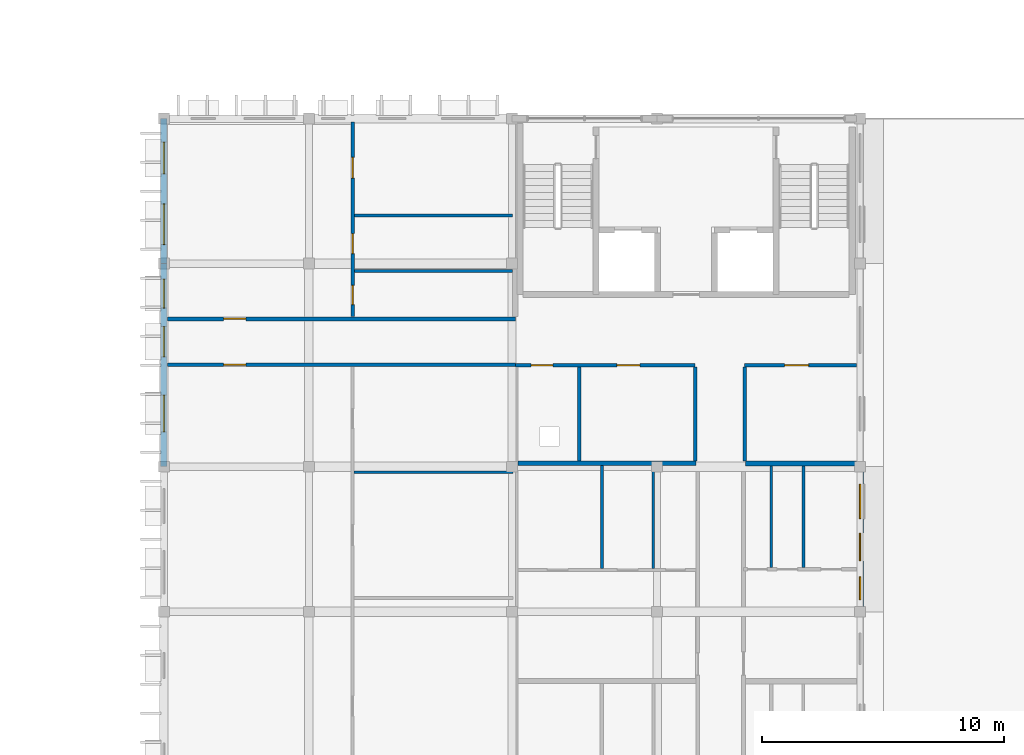
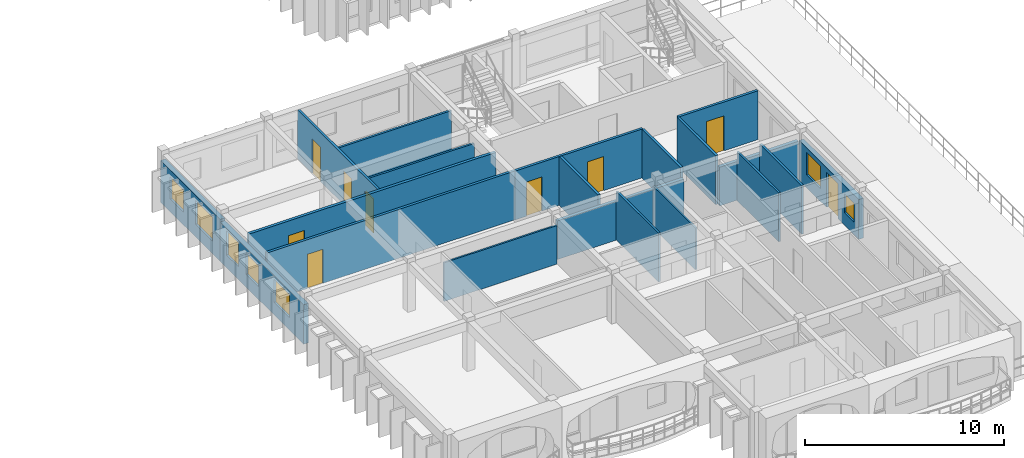
# One storey, part 31 of 66: 20 walls, 9 doors, 7 windows, 16 openings.
"""IFC4 building model written with IfcOpenShell, lengths in metres."""

from ifc_helpers import new_model, si_unit, direction, frame, frame_2d, origin, place, context, subcontext, project, spatial, rectangle, extrude, material, layer, layer_set, type_object, element, fill, save


model = new_model("IFC4")

# Units and contexts
model_context = context("Model", 3, precision=1e-05, world=origin(), true_north=direction((0.0, 1.0)))
body_context = subcontext(model_context, "Body", "Model", "MODEL_VIEW")
ifc_project = project(units=[si_unit("LENGTHUNIT", "METRE"), si_unit("AREAUNIT", "SQUARE_METRE"), si_unit("VOLUMEUNIT", "CUBIC_METRE"), si_unit("PLANEANGLEUNIT", "RADIAN"), si_unit("MASSUNIT", "GRAM", prefix="KILO"), si_unit("THERMODYNAMICTEMPERATUREUNIT", "KELVIN")], contexts=[model_context])

# Site, building, storey
site_placement = place(None, origin())
site = spatial("IfcSite", under=ifc_project, at=site_placement, CompositionType="ELEMENT")
building_placement = place(site_placement, origin())
building = spatial("IfcBuilding", under=site, at=building_placement, Name="Thalorik Housing Commons", CompositionType="ELEMENT")
storey_placement = place(building_placement, frame((0.0, 0.0, 21.300048828125)))
storey = spatial("IfcBuildingStorey", under=building, at=storey_placement, Name="L06", CompositionType="ELEMENT", Elevation=21.300048828125)

# Wall, opening, door
ifc_material_1 = material(Name="Masonry fire-rated corridor wall", Category="masonry")
ifc_layer_1 = layer(ifc_material_1, 0.14990234375, Name="Masonry fire-rated corridor wall", Category="masonry")
ifc_layer_set_1 = layer_set([ifc_layer_1], Name="Masonry fire-rated corridor wall")
wall_type_1 = type_object("IfcWallType", Name="ARC-WAL-CORR-150", PredefinedType="PARTITIONING", material=ifc_layer_set_1)
wall_1_placement = place(storey_placement, frame((138.139404296875, 61.820068359375, 0.0), z_axis=(0.0, 0.0, 1.0), x_axis=(1.0, 0.0, 0.0)))
wall_1 = element("IfcWall", 1, at=wall_1_placement, inside=storey, type_object=wall_type_1, Name="L06 Block D R Corridor Wall 1", PredefinedType="PARTITIONING", context=body_context, shape_type="SweptSolid", body=[
    extrude(rectangle(XDim=14.400634765625, YDim=0.14990234375, at=frame_2d((7.2001953125, 0.0))), origin(), (0.0, 0.0, 1.0), 3.0),
])
opening_1_placement = place(wall_1_placement, frame((2.329345703125, 0.0, 0.0)))
opening_1 = element("IfcOpeningElement", 2, at=opening_1_placement, cuts=wall_1, Name="Opening ID-2122", PredefinedType="OPENING", context=body_context, shape_type="SweptSolid", body=[
    extrude(rectangle(XDim=0.919921875, YDim=2.10009765625, at=frame_2d((0.4599609375, 1.050048828125))), frame((0.0, 0.0849609375, 0.0), z_axis=(0.0, -1.0, 0.0), x_axis=(1.0, 0.0, 0.0)), (0.0, 0.0, 1.0), 0.169921875),
])
ifc_material_2 = material(Name="Solid core hardwood timber", Category="wood")
door_type_1 = type_object("IfcDoorType", Name="ARC-DR-FD30-920", OperationType="NOTDEFINED", PredefinedType="DOOR", material=ifc_material_2)
door_1_placement = place(opening_1_placement, origin())
door_1 = element("IfcDoor", 3, at=door_1_placement, inside=storey, type_object=door_type_1, Name="L06 Flat DR-1A Entrance Door", OperationType="SINGLE_SWING_LEFT", OverallHeight=2.10009765625, OverallWidth=0.919921875, PredefinedType="DOOR", context=body_context, shape_type="SweptSolid", body=[
    extrude(rectangle(XDim=0.919921875, YDim=2.10009765625, at=frame_2d((0.4599609375, 1.050048828125))), frame((0.0, 0.02490234375, 0.0), z_axis=(0.0, -1.0, 0.0), x_axis=(1.0, 0.0, 0.0)), (0.0, 0.0, 1.0), 0.050048828125),
])
fill(opening_1, door_1)

ifc_layer_2 = layer(ifc_material_1, 0.1650390625, Name="Masonry fire-rated corridor wall", Category="masonry")
ifc_layer_set_2 = layer_set([ifc_layer_2], Name="Masonry fire-rated corridor wall")
wall_type_2 = type_object("IfcWallType", Name="ARC-WAL-CORR-165", PredefinedType="PARTITIONING", material=ifc_layer_set_2)
wall_2_placement = place(storey_placement, frame((138.139404296875, 63.719970703125, 0.0), z_axis=(0.0, 0.0, 1.0), x_axis=(1.0, 0.0, 0.0)))
wall_2 = element("IfcWall", 4, at=wall_2_placement, inside=storey, type_object=wall_type_2, Name="L06 Block D R Corridor Wall 2", PredefinedType="PARTITIONING", context=body_context, shape_type="SweptSolid", body=[
    extrude(rectangle(XDim=14.400634765625, YDim=0.1650390625, at=frame_2d((7.2001953125, 0.0))), origin(), (0.0, 0.0, 1.0), 3.0),
])
opening_2_placement = place(wall_2_placement, frame((2.332763671875, 0.0, 0.0)))
opening_2 = element("IfcOpeningElement", 5, at=opening_2_placement, cuts=wall_2, Name="Opening ID-2123", PredefinedType="OPENING", context=body_context, shape_type="SweptSolid", body=[
    extrude(rectangle(XDim=0.919921875, YDim=2.10009765625, at=frame_2d((0.4599609375, 1.050048828125))), frame((0.0, 0.092529296875, 0.0), z_axis=(0.0, -1.0, 0.0), x_axis=(1.0, 0.0, 0.0)), (0.0, 0.0, 1.0), 0.18505859375),
])
door_2_placement = place(opening_2_placement, origin())
door_2 = element("IfcDoor", 6, at=door_2_placement, inside=storey, type_object=door_type_1, Name="L06 Flat DR-1B Entrance Door", OperationType="SINGLE_SWING_RIGHT", OverallHeight=2.10009765625, OverallWidth=0.919921875, PredefinedType="DOOR", context=body_context, shape_type="SweptSolid", body=[
    extrude(rectangle(XDim=0.919921875, YDim=2.10009765625, at=frame_2d((0.4599609375, 1.050048828125))), frame((0.0, 0.02490234375, 0.0), z_axis=(0.0, -1.0, 0.0), x_axis=(1.0, 0.0, 0.0)), (0.0, 0.0, 1.0), 0.050048828125),
])
fill(opening_2, door_2)

# Wall, openings, windows
ifc_material_3 = material(Name="White precast concrete C40/50", Category="concrete")
ifc_layer_3 = layer(ifc_material_3, 0.27490234375, Name="White precast concrete C40/50", Category="concrete")
ifc_layer_set_3 = layer_set([ifc_layer_3], Name="White precast concrete C40/50")
wall_type_3 = type_object("IfcWallType", Name="ARC-WAL-EXT-275", PredefinedType="STANDARD", material=ifc_layer_set_3)
wall_3_placement = place(storey_placement, frame((138.0, 72.0, 0.0), z_axis=(0.0, 0.0, 1.0), x_axis=(0.0, -1.0, 0.0)))
wall_3 = element("IfcWall", 7, at=wall_3_placement, inside=storey, type_object=wall_type_3, Name="L06 Exterior Wall WAL-EXT-L06-D-1227", PredefinedType="STANDARD", context=body_context, shape_type="SweptSolid", body=[
    extrude(rectangle(XDim=6.0, YDim=0.27490234375, at=frame_2d((3.0, 0.0))), origin(), (0.0, 0.0, 1.0), 2.574951171875),
])
opening_3_placement = place(wall_3_placement, frame((0.969970703125, 0.0, 0.780029296875)))
opening_3 = element("IfcOpeningElement", 8, at=opening_3_placement, cuts=wall_3, Name="Opening W-48", PredefinedType="OPENING", context=body_context, shape_type="SweptSolid", body=[
    extrude(rectangle(XDim=1.320068359375, YDim=1.35009765625, at=frame_2d((0.66015625, 0.675048828125))), frame((0.0, 0.1474609375, 0.0), z_axis=(0.0, -1.0, 0.0), x_axis=(1.0, 0.0, 0.0)), (0.0, 0.0, 1.0), 0.294921875),
])
opening_4_placement = place(wall_3_placement, frame((3.530029296875, 0.0, 0.780029296875)))
opening_4 = element("IfcOpeningElement", 9, at=opening_4_placement, cuts=wall_3, Name="Opening W-55", PredefinedType="OPENING", context=body_context, shape_type="SweptSolid", body=[
    extrude(rectangle(XDim=1.679931640625, YDim=1.4599609375, at=frame_2d((0.83984375, 0.72998046875))), frame((0.0, 0.1474609375, 0.0), z_axis=(0.0, -1.0, 0.0), x_axis=(1.0, 0.0, 0.0)), (0.0, 0.0, 1.0), 0.294921875),
])
ifc_material_4 = material(Name="Anodised aluminium and solar-control low-E glass", Category="aluminium")
window_type_1 = type_object("IfcWindowType", Name="ARC-WIN-48", PartitioningType="SINGLE_PANEL", PredefinedType="WINDOW", material=ifc_material_4)
window_1_placement = place(opening_3_placement, origin())
window_1 = element("IfcWindow", 10, at=window_1_placement, inside=storey, type_object=window_type_1, Name="L06 Facade Window 2238", OverallHeight=1.35009765625, OverallWidth=1.320068359375, PartitioningType="SINGLE_PANEL", PredefinedType="WINDOW", context=body_context, shape_type="SweptSolid", body=[
    extrude(rectangle(XDim=1.320068359375, YDim=1.35009765625, at=frame_2d((0.66015625, 0.675048828125))), frame((0.0, 0.030029296875, 0.0), z_axis=(0.0, -1.0, 0.0), x_axis=(1.0, 0.0, 0.0)), (0.0, 0.0, 1.0), 0.06005859375),
])
fill(opening_3, window_1)
window_type_2 = type_object("IfcWindowType", Name="ARC-WIN-55", PartitioningType="DOUBLE_PANEL_VERTICAL", PredefinedType="WINDOW", material=ifc_material_4)
window_2_placement = place(opening_4_placement, origin())
window_2 = element("IfcWindow", 11, at=window_2_placement, inside=storey, type_object=window_type_2, Name="L06 Facade Window 2239", OverallHeight=1.4599609375, OverallWidth=1.679931640625, PartitioningType="DOUBLE_PANEL_VERTICAL", PredefinedType="WINDOW", context=body_context, shape_type="SweptSolid", body=[
    extrude(rectangle(XDim=1.679931640625, YDim=1.4599609375, at=frame_2d((0.83984375, 0.72998046875))), frame((0.0, 0.030029296875, 0.0), z_axis=(0.0, -1.0, 0.0), x_axis=(1.0, 0.0, 0.0)), (0.0, 0.0, 1.0), 0.06005859375),
])
fill(opening_4, window_2)

wall_4_placement = place(storey_placement, frame((138.0, 66.0, 0.0), z_axis=(0.0, 0.0, 1.0), x_axis=(0.0, -1.0, 0.0)))
wall_4 = element("IfcWall", 12, at=wall_4_placement, inside=storey, type_object=wall_type_3, Name="L06 Exterior Wall WAL-EXT-L06-D-1228", PredefinedType="STANDARD", context=body_context, shape_type="SweptSolid", body=[
    extrude(rectangle(XDim=8.39990234375, YDim=0.27490234375, at=frame_2d((4.199951171875, 0.0))), origin(), (0.0, 0.0, 1.0), 2.425048828125),
])
opening_5_placement = place(wall_4_placement, frame((0.635009765625, 0.0, 0.780029296875)))
opening_5 = element("IfcOpeningElement", 13, at=opening_5_placement, cuts=wall_4, Name="Opening W-05", PredefinedType="OPENING", context=body_context, shape_type="SweptSolid", body=[
    extrude(rectangle(XDim=1.199951171875, YDim=1.5, at=frame_2d((0.60009765625, 0.75))), frame((0.0, 0.1474609375, 0.0), z_axis=(0.0, -1.0, 0.0), x_axis=(1.0, 0.0, 0.0)), (0.0, 0.0, 1.0), 0.294921875),
])
opening_6_placement = place(wall_4_placement, frame((2.60498046875, 0.0, 0.780029296875)))
opening_6 = element("IfcOpeningElement", 14, at=opening_6_placement, cuts=wall_4, Name="Opening W-46", PredefinedType="OPENING", context=body_context, shape_type="SweptSolid", body=[
    extrude(rectangle(XDim=1.25, YDim=1.300048828125, at=frame_2d((0.625, 0.64990234375))), frame((0.0, 0.1474609375, 0.0), z_axis=(0.0, -1.0, 0.0), x_axis=(1.0, 0.0, 0.0)), (0.0, 0.0, 1.0), 0.294921875),
])
opening_7_placement = place(wall_4_placement, frame((5.43505859375, 0.0, 0.780029296875)))
opening_7 = element("IfcOpeningElement", 15, at=opening_7_placement, cuts=wall_4, Name="Opening W-52", PredefinedType="OPENING", context=body_context, shape_type="SweptSolid", body=[
    extrude(rectangle(XDim=1.52001953125, YDim=1.419921875, at=frame_2d((0.760009765625, 0.7099609375))), frame((0.0, 0.1474609375, 0.0), z_axis=(0.0, -1.0, 0.0), x_axis=(1.0, 0.0, 0.0)), (0.0, 0.0, 1.0), 0.294921875),
])
window_type_3 = type_object("IfcWindowType", Name="ARC-WIN-05", PartitioningType="SINGLE_PANEL", PredefinedType="WINDOW", material=ifc_material_4)
window_3_placement = place(opening_5_placement, origin())
window_3 = element("IfcWindow", 16, at=window_3_placement, inside=storey, type_object=window_type_3, Name="L06 Facade Window 2240", OverallHeight=1.5, OverallWidth=1.199951171875, PartitioningType="SINGLE_PANEL", PredefinedType="WINDOW", context=body_context, shape_type="SweptSolid", body=[
    extrude(rectangle(XDim=1.199951171875, YDim=1.5, at=frame_2d((0.60009765625, 0.75))), frame((0.0, 0.030029296875, 0.0), z_axis=(0.0, -1.0, 0.0), x_axis=(1.0, 0.0, 0.0)), (0.0, 0.0, 1.0), 0.06005859375),
])
fill(opening_5, window_3)
window_type_4 = type_object("IfcWindowType", Name="ARC-WIN-46", PartitioningType="SINGLE_PANEL", PredefinedType="WINDOW", material=ifc_material_4)
window_4_placement = place(opening_6_placement, origin())
window_4 = element("IfcWindow", 17, at=window_4_placement, inside=storey, type_object=window_type_4, Name="L06 Facade Window 2241", OverallHeight=1.300048828125, OverallWidth=1.25, PartitioningType="SINGLE_PANEL", PredefinedType="WINDOW", context=body_context, shape_type="SweptSolid", body=[
    extrude(rectangle(XDim=1.25, YDim=1.300048828125, at=frame_2d((0.625, 0.64990234375))), frame((0.0, 0.030029296875, 0.0), z_axis=(0.0, -1.0, 0.0), x_axis=(1.0, 0.0, 0.0)), (0.0, 0.0, 1.0), 0.06005859375),
])
fill(opening_6, window_4)
window_type_5 = type_object("IfcWindowType", Name="ARC-WIN-52", PartitioningType="SINGLE_PANEL", PredefinedType="WINDOW", material=ifc_material_4)
window_5_placement = place(opening_7_placement, origin())
window_5 = element("IfcWindow", 18, at=window_5_placement, inside=storey, type_object=window_type_5, Name="L06 Facade Window 2242", OverallHeight=1.419921875, OverallWidth=1.52001953125, PartitioningType="SINGLE_PANEL", PredefinedType="WINDOW", context=body_context, shape_type="SweptSolid", body=[
    extrude(rectangle(XDim=1.52001953125, YDim=1.419921875, at=frame_2d((0.760009765625, 0.7099609375))), frame((0.0, 0.030029296875, 0.0), z_axis=(0.0, -1.0, 0.0), x_axis=(1.0, 0.0, 0.0)), (0.0, 0.0, 1.0), 0.06005859375),
])
fill(opening_7, window_5)

# Wall, openings, door, windows
wall_5_placement = place(storey_placement, frame((166.800048828125, 51.60009765625, 0.0), z_axis=(0.0, 0.0, 1.0), x_axis=(0.0, 1.0, 0.0)))
wall_5 = element("IfcWall", 19, at=wall_5_placement, inside=storey, type_object=wall_type_3, Name="L06 Exterior Wall WAL-EXT-L06-D-1238", PredefinedType="STANDARD", context=body_context, shape_type="SweptSolid", body=[
    extrude(rectangle(XDim=6.0, YDim=0.27490234375, at=frame_2d((3.0, 0.0))), origin(), (0.0, 0.0, 1.0), 2.445068359375),
])
opening_8_placement = place(wall_5_placement, frame((2.104736328125, 0.0, 0.0)))
opening_8 = element("IfcOpeningElement", 20, at=opening_8_placement, cuts=wall_5, Name="Opening ED-0422", PredefinedType="OPENING", context=body_context, shape_type="SweptSolid", body=[
    extrude(rectangle(XDim=1.14990234375, YDim=2.14990234375, at=frame_2d((0.574951171875, 1.074951171875))), frame((0.0, 0.1474609375, 0.0), z_axis=(0.0, -1.0, 0.0), x_axis=(1.0, 0.0, 0.0)), (0.0, 0.0, 1.0), 0.294921875),
])
opening_9_placement = place(wall_5_placement, frame((3.857421875, 0.0, 0.780029296875)))
opening_9 = element("IfcOpeningElement", 21, at=opening_9_placement, cuts=wall_5, Name="Opening W-50", PredefinedType="OPENING", context=body_context, shape_type="SweptSolid", body=[
    extrude(rectangle(XDim=1.419921875, YDim=1.3798828125, at=frame_2d((0.7099609375, 0.68994140625))), frame((0.0, 0.1474609375, 0.0), z_axis=(0.0, -1.0, 0.0), x_axis=(1.0, 0.0, 0.0)), (0.0, 0.0, 1.0), 0.294921875),
])
opening_10_placement = place(wall_5_placement, frame((0.497314453125, 0.0, 0.780029296875)))
opening_10 = element("IfcOpeningElement", 22, at=opening_10_placement, cuts=wall_5, Name="Opening W-43", PredefinedType="OPENING", context=body_context, shape_type="SweptSolid", body=[
    extrude(rectangle(XDim=0.949951171875, YDim=1.14990234375, at=frame_2d((0.47509765625, 0.574951171875))), frame((0.0, 0.1474609375, 0.0), z_axis=(0.0, -1.0, 0.0), x_axis=(1.0, 0.0, 0.0)), (0.0, 0.0, 1.0), 0.294921875),
])
ifc_material_5 = material(Name="Anodised aluminium and laminated safety glass", Category="aluminium")
door_type_2 = type_object("IfcDoorType", Name="ARC-DR-TERR-1150", OperationType="NOTDEFINED", PredefinedType="DOOR", material=ifc_material_5)
door_3_placement = place(opening_8_placement, frame((1.14990234375, 0.0, 0.0), z_axis=(0.0, 0.0, 1.0), x_axis=(-1.0, 0.0, 0.0)))
door_3 = element("IfcDoor", 23, at=door_3_placement, inside=storey, type_object=door_type_2, Name="L06 Block D L06 East Roof Terrace Access Door", OperationType="SINGLE_SWING_LEFT", OverallHeight=2.14990234375, OverallWidth=1.14990234375, PredefinedType="DOOR", context=body_context, shape_type="SweptSolid", body=[
    extrude(rectangle(XDim=1.14990234375, YDim=2.14990234375, at=frame_2d((0.574951171875, 1.074951171875))), frame((0.0, 0.02490234375, 0.0), z_axis=(0.0, -1.0, 0.0), x_axis=(1.0, 0.0, 0.0)), (0.0, 0.0, 1.0), 0.050048828125),
])
fill(opening_8, door_3)
window_type_6 = type_object("IfcWindowType", Name="ARC-WIN-43", PartitioningType="SINGLE_PANEL", PredefinedType="WINDOW", material=ifc_material_4)
window_6_placement = place(opening_10_placement, origin())
window_6 = element("IfcWindow", 24, at=window_6_placement, inside=storey, type_object=window_type_6, Name="L06 Facade Window 2261", OverallHeight=1.14990234375, OverallWidth=0.949951171875, PartitioningType="SINGLE_PANEL", PredefinedType="WINDOW", context=body_context, shape_type="SweptSolid", body=[
    extrude(rectangle(XDim=0.949951171875, YDim=1.14990234375, at=frame_2d((0.47509765625, 0.574951171875))), frame((0.0, 0.030029296875, 0.0), z_axis=(0.0, -1.0, 0.0), x_axis=(1.0, 0.0, 0.0)), (0.0, 0.0, 1.0), 0.06005859375),
])
fill(opening_10, window_6)
window_type_7 = type_object("IfcWindowType", Name="ARC-WIN-50", PartitioningType="SINGLE_PANEL", PredefinedType="WINDOW", material=ifc_material_4)
window_7_placement = place(opening_9_placement, origin())
window_7 = element("IfcWindow", 25, at=window_7_placement, inside=storey, type_object=window_type_7, Name="L06 Facade Window 2260", OverallHeight=1.3798828125, OverallWidth=1.419921875, PartitioningType="SINGLE_PANEL", PredefinedType="WINDOW", context=body_context, shape_type="SweptSolid", body=[
    extrude(rectangle(XDim=1.419921875, YDim=1.3798828125, at=frame_2d((0.7099609375, 0.68994140625))), frame((0.0, 0.030029296875, 0.0), z_axis=(0.0, -1.0, 0.0), x_axis=(1.0, 0.0, 0.0)), (0.0, 0.0, 1.0), 0.06005859375),
])
fill(opening_9, window_7)

# Walls
ifc_material_6 = material(Name="Gypsum light stud partition", Category="masonry")
ifc_layer_4 = layer(ifc_material_6, 0.10009765625, Name="Gypsum light stud partition", Category="masonry")
ifc_layer_set_4 = layer_set([ifc_layer_4], Name="Gypsum light stud partition")
wall_type_4 = type_object("IfcWallType", Name="ARC-WAL-PART-100", PredefinedType="PARTITIONING", material=ifc_layer_set_4)
wall_6_placement = place(storey_placement, frame((158.251220703125, 53.3994140625, 0.0), z_axis=(0.0, 0.0, 1.0), x_axis=(0.0, 1.0, 0.0)))
element("IfcWall", 26, at=wall_6_placement, inside=storey, type_object=wall_type_4, Name="L06 Unit 2 Wet Wall", PredefinedType="PARTITIONING", context=body_context, shape_type="SweptSolid", body=[
    extrude(rectangle(XDim=4.24609375, YDim=0.10009765625, at=frame_2d((2.123046875, 0.0))), origin(), (0.0, 0.0, 1.0), 2.574951171875),
])
wall_7_placement = place(storey_placement, frame((145.864501953125, 57.365478515625, 0.0), z_axis=(0.0, 0.0, 1.0), x_axis=(1.0, 0.0, 0.0)))
element("IfcWall", 27, at=wall_7_placement, inside=storey, type_object=wall_type_4, Name="L06 Unit 1 Wet Wall", PredefinedType="PARTITIONING", context=body_context, shape_type="SweptSolid", body=[
    extrude(rectangle(XDim=6.573486328125, YDim=0.10009765625, at=frame_2d((3.28662109375, 0.0))), origin(), (0.0, 0.0, 1.0), 2.375),
])
ifc_material_7 = material(Name="Gypsum moisture-resistant partition", Category="masonry")
ifc_layer_5 = layer(ifc_material_7, 0.114990234375, Name="Gypsum moisture-resistant partition", Category="masonry")
ifc_layer_set_5 = layer_set([ifc_layer_5], Name="Gypsum moisture-resistant partition")
wall_type_5 = type_object("IfcWallType", Name="ARC-WAL-PART-115", PredefinedType="PARTITIONING", material=ifc_layer_set_5)
wall_8_placement = place(storey_placement, frame((156.11767578125, 53.3994140625, 0.0), z_axis=(0.0, 0.0, 1.0), x_axis=(0.0, 1.0, 0.0)))
element("IfcWall", 28, at=wall_8_placement, inside=storey, type_object=wall_type_5, Name="L06 Unit 2 Bedroom Partition", PredefinedType="PARTITIONING", context=body_context, shape_type="SweptSolid", body=[
    extrude(rectangle(XDim=4.24609375, YDim=0.114990234375, at=frame_2d((2.123046875, 0.0))), origin(), (0.0, 0.0, 1.0), 3.0),
])
wall_9_placement = place(storey_placement, frame((163.122314453125, 53.4267578125, 0.0), z_axis=(0.0, 0.0, 1.0), x_axis=(0.0, 1.0, 0.0)))
element("IfcWall", 29, at=wall_9_placement, inside=storey, type_object=wall_type_5, Name="L06 Unit 2B Wet Wall", PredefinedType="PARTITIONING", context=body_context, shape_type="SweptSolid", body=[
    extrude(rectangle(XDim=4.211181640625, YDim=0.114990234375, at=frame_2d((2.10546875, 0.0))), origin(), (0.0, 0.0, 1.0), 3.0),
])
wall_10_placement = place(storey_placement, frame((145.88232421875, 65.69287109375, 0.0), z_axis=(0.0, 0.0, 1.0), x_axis=(1.0, 0.0, 0.0)))
element("IfcWall", 30, at=wall_10_placement, inside=storey, type_object=wall_type_5, Name="L06 Unit 1B Wet Wall", PredefinedType="PARTITIONING", context=body_context, shape_type="SweptSolid", body=[
    extrude(rectangle(XDim=6.545654296875, YDim=0.114990234375, at=frame_2d((3.27294921875, 0.0))), origin(), (0.0, 0.0, 1.0), 2.375),
])
ifc_material_8 = material(Name="Gypsum acoustic stud partition", Category="masonry")
ifc_layer_6 = layer(ifc_material_8, 0.125, Name="Gypsum acoustic stud partition", Category="masonry")
ifc_layer_set_6 = layer_set([ifc_layer_6], Name="Gypsum acoustic stud partition")
wall_type_6 = type_object("IfcWallType", Name="ARC-WAL-PART-125", PredefinedType="PARTITIONING", material=ifc_layer_set_6)
wall_11_placement = place(storey_placement, frame((164.455078125, 53.4267578125, 0.0), z_axis=(0.0, 0.0, 1.0), x_axis=(0.0, 1.0, 0.0)))
element("IfcWall", 31, at=wall_11_placement, inside=storey, type_object=wall_type_6, Name="L06 Unit 2B Bedroom Partition", PredefinedType="PARTITIONING", context=body_context, shape_type="SweptSolid", body=[
    extrude(rectangle(XDim=4.211181640625, YDim=0.125, at=frame_2d((2.10546875, 0.0))), origin(), (0.0, 0.0, 1.0), 3.0),
])
wall_12_placement = place(storey_placement, frame((145.88232421875, 67.994384765625, 0.0), z_axis=(0.0, 0.0, 1.0), x_axis=(1.0, 0.0, 0.0)))
element("IfcWall", 32, at=wall_12_placement, inside=storey, type_object=wall_type_6, Name="L06 Unit 1B Bedroom Partition", PredefinedType="PARTITIONING", context=body_context, shape_type="SweptSolid", body=[
    extrude(rectangle(XDim=6.545654296875, YDim=0.125, at=frame_2d((3.27294921875, 0.0))), origin(), (0.0, 0.0, 1.0), 3.0),
])

# Wall, openings, doors
ifc_material_9 = material(Name="Ceramic masonry partition wall", Category="masonry")
ifc_layer_7 = layer(ifc_material_9, 0.139892578125, Name="Ceramic masonry partition wall", Category="masonry")
ifc_layer_set_7 = layer_set([ifc_layer_7], Name="Ceramic masonry partition wall")
wall_type_7 = type_object("IfcWallType", Name="ARC-WAL-PART-140", PredefinedType="PARTITIONING", material=ifc_layer_set_7)
wall_13_placement = place(storey_placement, frame((145.810302734375, 63.804443359375, 0.0), z_axis=(0.0, 0.0, 1.0), x_axis=(0.0, 1.0, 0.0)))
wall_13 = element("IfcWall", 33, at=wall_13_placement, inside=storey, type_object=wall_type_7, Name="L06 Unit 1B Spine Partition", PredefinedType="PARTITIONING", context=body_context, shape_type="SweptSolid", body=[
    extrude(rectangle(XDim=8.05615234375, YDim=0.139892578125, at=frame_2d((4.028076171875, 0.0))), origin(), (0.0, 0.0, 1.0), 3.0),
])
opening_11_placement = place(wall_13_placement, frame((0.501953125, 0.0, 0.0)))
opening_11 = element("IfcOpeningElement", 34, at=opening_11_placement, cuts=wall_13, Name="Opening ID-2119", PredefinedType="OPENING", context=body_context, shape_type="SweptSolid", body=[
    extrude(rectangle(XDim=0.800048828125, YDim=2.10009765625, at=frame_2d((0.39990234375, 1.050048828125))), frame((0.0, 0.080078125, 0.0), z_axis=(0.0, -1.0, 0.0), x_axis=(1.0, 0.0, 0.0)), (0.0, 0.0, 1.0), 0.159912109375),
])
opening_12_placement = place(wall_13_placement, frame((2.614013671875, 0.0, 0.0)))
opening_12 = element("IfcOpeningElement", 35, at=opening_12_placement, cuts=wall_13, Name="Opening ID-2120", PredefinedType="OPENING", context=body_context, shape_type="SweptSolid", body=[
    extrude(rectangle(XDim=0.820068359375, YDim=2.080078125, at=frame_2d((0.41015625, 1.0400390625))), frame((0.0, 0.080078125, 0.0), z_axis=(0.0, -1.0, 0.0), x_axis=(1.0, 0.0, 0.0)), (0.0, 0.0, 1.0), 0.159912109375),
])
opening_13_placement = place(wall_13_placement, frame((5.73779296875, 0.0, 0.0)))
opening_13 = element("IfcOpeningElement", 36, at=opening_13_placement, cuts=wall_13, Name="Opening ID-2121", PredefinedType="OPENING", context=body_context, shape_type="SweptSolid", body=[
    extrude(rectangle(XDim=0.85009765625, YDim=2.10009765625, at=frame_2d((0.425048828125, 1.050048828125))), frame((0.0, 0.080078125, 0.0), z_axis=(0.0, -1.0, 0.0), x_axis=(1.0, 0.0, 0.0)), (0.0, 0.0, 1.0), 0.159912109375),
])
ifc_material_10 = material(Name="Moisture-resistant timber", Category="wood")
door_type_3 = type_object("IfcDoorType", Name="ARC-DR-INT-800", OperationType="NOTDEFINED", PredefinedType="DOOR", material=ifc_material_10)
door_4_placement = place(opening_11_placement, origin())
door_4 = element("IfcDoor", 37, at=door_4_placement, inside=storey, type_object=door_type_3, Name="L06 Flat Bathroom Door", OperationType="SINGLE_SWING_RIGHT", OverallHeight=2.10009765625, OverallWidth=0.800048828125, PredefinedType="DOOR", context=body_context, shape_type="SweptSolid", body=[
    extrude(rectangle(XDim=0.800048828125, YDim=2.10009765625, at=frame_2d((0.39990234375, 1.050048828125))), frame((0.0, 0.02490234375, 0.0), z_axis=(0.0, -1.0, 0.0), x_axis=(1.0, 0.0, 0.0)), (0.0, 0.0, 1.0), 0.050048828125),
])
fill(opening_11, door_4)
ifc_material_11 = material(Name="Engineered oak timber", Category="wood")
door_type_4 = type_object("IfcDoorType", Name="ARC-DR-INT-820", OperationType="NOTDEFINED", PredefinedType="DOOR", material=ifc_material_11)
door_5_placement = place(opening_12_placement, origin())
door_5 = element("IfcDoor", 38, at=door_5_placement, inside=storey, type_object=door_type_4, Name="L06 Eat-In Kitchen Door", OperationType="SINGLE_SWING_LEFT", OverallHeight=2.080078125, OverallWidth=0.820068359375, PredefinedType="DOOR", context=body_context, shape_type="SweptSolid", body=[
    extrude(rectangle(XDim=0.820068359375, YDim=2.080078125, at=frame_2d((0.41015625, 1.0400390625))), frame((0.0, 0.02490234375, 0.0), z_axis=(0.0, -1.0, 0.0), x_axis=(1.0, 0.0, 0.0)), (0.0, 0.0, 1.0), 0.050048828125),
])
fill(opening_12, door_5)
door_type_5 = type_object("IfcDoorType", Name="ARC-DR-INT-850", OperationType="NOTDEFINED", PredefinedType="DOOR", material=ifc_material_11)
door_6_placement = place(opening_13_placement, origin())
door_6 = element("IfcDoor", 39, at=door_6_placement, inside=storey, type_object=door_type_5, Name="L06 Master Bedroom Door", OperationType="SINGLE_SWING_RIGHT", OverallHeight=2.10009765625, OverallWidth=0.85009765625, PredefinedType="DOOR", context=body_context, shape_type="SweptSolid", body=[
    extrude(rectangle(XDim=0.85009765625, YDim=2.10009765625, at=frame_2d((0.425048828125, 1.050048828125))), frame((0.0, 0.02490234375, 0.0), z_axis=(0.0, -1.0, 0.0), x_axis=(1.0, 0.0, 0.0)), (0.0, 0.0, 1.0), 0.050048828125),
])
fill(opening_13, door_6)

# Walls
ifc_layer_8 = layer(ifc_material_9, 0.14794921875, Name="Ceramic masonry partition wall", Category="masonry")
ifc_layer_set_8 = layer_set([ifc_layer_8], Name="Ceramic masonry partition wall")
wall_type_8 = type_object("IfcWallType", Name="ARC-WAL-PART-150", PredefinedType="PARTITIONING", material=ifc_layer_set_8)
for number, where, z_axis, x_axis, name in (
    (40, (155.175048828125, 61.72412109375, 0.0), (0.0, 0.0, 1.0), (0.0, -1.0, 0.0), "Riser Wall"),
    (41, (159.97509765625, 61.72412109375, 0.0), (0.0, 0.0, 1.0), (0.0, -1.0, 0.0), "Core Stem West Cheek Wall"),
):
    element("IfcWall", number, at=place(storey_placement, frame(where, z_axis=z_axis, x_axis=x_axis)), inside=storey, type_object=wall_type_8, Name=name, PredefinedType="PARTITIONING", context=body_context, shape_type="SweptSolid", body=[
        extrude(rectangle(XDim=3.8896484375, YDim=0.14794921875, at=frame_2d((1.94482421875, 0.0))), origin(), (0.0, 0.0, 1.0), 3.0),
    ])
wall_14_placement = place(storey_placement, frame((162.02490234375, 61.72412109375, 0.0), z_axis=(0.0, 0.0, 1.0), x_axis=(0.0, -1.0, 0.0)))
element("IfcWall", 42, at=wall_14_placement, inside=storey, type_object=wall_type_8, Name="Core Stem East Cheek Wall", PredefinedType="PARTITIONING", context=body_context, shape_type="SweptSolid", body=[
    extrude(rectangle(XDim=3.882080078125, YDim=0.14794921875, at=frame_2d((1.94091796875, 0.0))), origin(), (0.0, 0.0, 1.0), 3.0),
])

# Wall, openings, doors
wall_15_placement = place(storey_placement, frame((152.5400390625, 61.800048828125, 0.0), z_axis=(0.0, 0.0, 1.0), x_axis=(1.0, 0.0, 0.0)))
wall_15 = element("IfcWall", 43, at=wall_15_placement, inside=storey, type_object=wall_type_8, Name="L06 Core D West Corridor Partition", PredefinedType="PARTITIONING", context=body_context, shape_type="SweptSolid", body=[
    extrude(rectangle(XDim=7.43505859375, YDim=0.14794921875, at=frame_2d((3.717529296875, 0.0))), origin(), (0.0, 0.0, 1.0), 3.0),
])
opening_14_placement = place(wall_15_placement, frame((0.64990234375, 0.0, 0.0)))
opening_14 = element("IfcOpeningElement", 44, at=opening_14_placement, cuts=wall_15, Name="Opening ID-0406", PredefinedType="OPENING", context=body_context, shape_type="SweptSolid", body=[
    extrude(rectangle(XDim=0.89990234375, YDim=2.10009765625, at=frame_2d((0.449951171875, 1.050048828125))), frame((0.0, 0.083984375, 0.0), z_axis=(0.0, -1.0, 0.0), x_axis=(1.0, 0.0, 0.0)), (0.0, 0.0, 1.0), 0.16796875),
])
opening_15_placement = place(wall_15_placement, frame((4.199951171875, 0.0, 0.0)))
opening_15 = element("IfcOpeningElement", 45, at=opening_15_placement, cuts=wall_15, Name="Opening ID-0407", PredefinedType="OPENING", context=body_context, shape_type="SweptSolid", body=[
    extrude(rectangle(XDim=0.949951171875, YDim=2.10009765625, at=frame_2d((0.47509765625, 1.050048828125))), frame((0.0, 0.083984375, 0.0), z_axis=(0.0, -1.0, 0.0), x_axis=(1.0, 0.0, 0.0)), (0.0, 0.0, 1.0), 0.16796875),
])
ifc_material_12 = material(Name="Steel S355", Category="steel")
door_type_6 = type_object("IfcDoorType", Name="ARC-DR-FD60-900", OperationType="NOTDEFINED", PredefinedType="DOOR", material=ifc_material_12)
door_7_placement = place(opening_14_placement, origin())
door_7 = element("IfcDoor", 46, at=door_7_placement, inside=storey, type_object=door_type_6, Name="Electrical Riser Door", OperationType="SINGLE_SWING_LEFT", OverallHeight=2.10009765625, OverallWidth=0.89990234375, PredefinedType="DOOR", context=body_context, shape_type="SweptSolid", body=[
    extrude(rectangle(XDim=0.89990234375, YDim=2.10009765625, at=frame_2d((0.449951171875, 1.050048828125))), frame((0.0, 0.02490234375, 0.0), z_axis=(0.0, -1.0, 0.0), x_axis=(1.0, 0.0, 0.0)), (0.0, 0.0, 1.0), 0.050048828125),
])
fill(opening_14, door_7)
door_type_7 = type_object("IfcDoorType", Name="ARC-DR-INT-950", OperationType="NOTDEFINED", PredefinedType="DOOR", material=ifc_material_11)
door_8_placement = place(opening_15_placement, origin())
door_8 = element("IfcDoor", 47, at=door_8_placement, inside=storey, type_object=door_type_7, Name="Accessible Bathroom Door", OperationType="SINGLE_SWING_RIGHT", OverallHeight=2.10009765625, OverallWidth=0.949951171875, PredefinedType="DOOR", context=body_context, shape_type="SweptSolid", body=[
    extrude(rectangle(XDim=0.949951171875, YDim=2.10009765625, at=frame_2d((0.47509765625, 1.050048828125))), frame((0.0, 0.02490234375, 0.0), z_axis=(0.0, -1.0, 0.0), x_axis=(1.0, 0.0, 0.0)), (0.0, 0.0, 1.0), 0.050048828125),
])
fill(opening_15, door_8)

# Wall, opening, door
wall_16_placement = place(storey_placement, frame((162.02490234375, 61.800048828125, 0.0), z_axis=(0.0, 0.0, 1.0), x_axis=(1.0, 0.0, 0.0)))
wall_16 = element("IfcWall", 48, at=wall_16_placement, inside=storey, type_object=wall_type_8, Name="L06 Core D East Corridor Partition", PredefinedType="PARTITIONING", context=body_context, shape_type="SweptSolid", body=[
    extrude(rectangle(XDim=4.635009765625, YDim=0.14794921875, at=frame_2d((2.3173828125, 0.0))), origin(), (0.0, 0.0, 1.0), 3.0),
])
opening_16_placement = place(wall_16_placement, frame((1.64990234375, 0.0, 0.0)))
opening_16 = element("IfcOpeningElement", 49, at=opening_16_placement, cuts=wall_16, Name="Opening ID-0408", PredefinedType="OPENING", context=body_context, shape_type="SweptSolid", body=[
    extrude(rectangle(XDim=1.0, YDim=2.14990234375, at=frame_2d((0.5, 1.074951171875))), frame((0.0, 0.083984375, 0.0), z_axis=(0.0, -1.0, 0.0), x_axis=(1.0, 0.0, 0.0)), (0.0, 0.0, 1.0), 0.16796875),
])
door_type_8 = type_object("IfcDoorType", Name="ARC-DR-FD60-1000", OperationType="NOTDEFINED", PredefinedType="DOOR", material=ifc_material_12)
door_9_placement = place(opening_16_placement, origin())
door_9 = element("IfcDoor", 50, at=door_9_placement, inside=storey, type_object=door_type_8, Name="Core Hub Room Door", OperationType="SINGLE_SWING_LEFT", OverallHeight=2.14990234375, OverallWidth=1.0, PredefinedType="DOOR", context=body_context, shape_type="SweptSolid", body=[
    extrude(rectangle(XDim=1.0, YDim=2.14990234375, at=frame_2d((0.5, 1.074951171875))), frame((0.0, 0.02490234375, 0.0), z_axis=(0.0, -1.0, 0.0), x_axis=(1.0, 0.0, 0.0)), (0.0, 0.0, 1.0), 0.050048828125),
])
fill(opening_16, door_9)

# Walls
ifc_material_13 = material(Name="Masonry acoustic blockwork wall", Category="masonry")
ifc_layer_9 = layer(ifc_material_13, 0.18505859375, Name="Masonry acoustic blockwork wall", Category="masonry")
ifc_layer_set_9 = layer_set([ifc_layer_9], Name="Masonry acoustic blockwork wall")
wall_type_9 = type_object("IfcWallType", Name="ARC-WAL-PARTY-185", PredefinedType="PARTITIONING", material=ifc_layer_set_9)
wall_17_placement = place(storey_placement, frame((152.64208984375, 57.739990234375, 0.0), z_axis=(0.0, 0.0, 1.0), x_axis=(1.0, 0.0, 0.0)))
element("IfcWall", 51, at=wall_17_placement, inside=storey, type_object=wall_type_9, Name="L06 Core End Wall A", PredefinedType="PARTITIONING", context=body_context, shape_type="SweptSolid", body=[
    extrude(rectangle(XDim=7.36083984375, YDim=0.18505859375, at=frame_2d((3.680419921875, 0.0))), origin(), (0.0, 0.0, 1.0), 2.375),
])
ifc_material_14 = material(Name="Precast concrete C40/50 acoustic wall", Category="concrete")
ifc_layer_10 = layer(ifc_material_14, 0.199951171875, Name="Precast concrete C40/50 acoustic wall", Category="concrete")
ifc_layer_set_10 = layer_set([ifc_layer_10], Name="Precast concrete C40/50 acoustic wall")
wall_type_10 = type_object("IfcWallType", Name="ARC-WAL-PARTY-200", PredefinedType="PARTITIONING", material=ifc_layer_set_10)
wall_18_placement = place(storey_placement, frame((162.064453125, 57.739990234375, 0.0), z_axis=(0.0, 0.0, 1.0), x_axis=(1.0, 0.0, 0.0)))
element("IfcWall", 52, at=wall_18_placement, inside=storey, type_object=wall_type_10, Name="L06 Core End Wall B", PredefinedType="PARTITIONING", context=body_context, shape_type="SweptSolid", body=[
    extrude(rectangle(XDim=4.595947265625, YDim=0.199951171875, at=frame_2d((2.2978515625, 0.0))), origin(), (0.0, 0.0, 1.0), 2.375),
])

save(model, "model.ifc")
